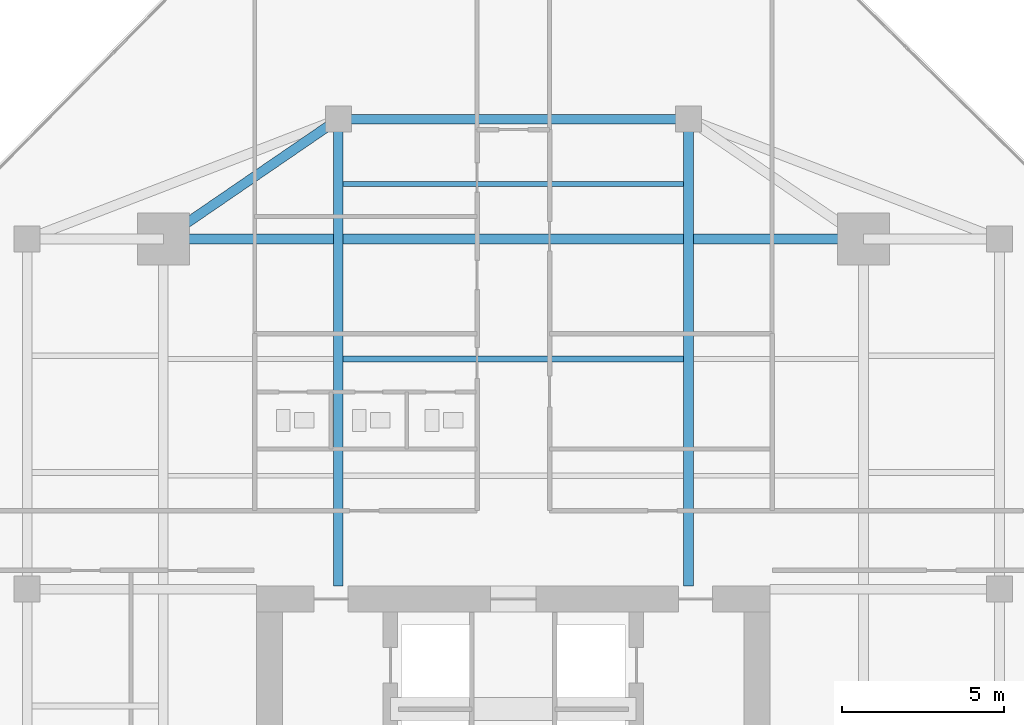
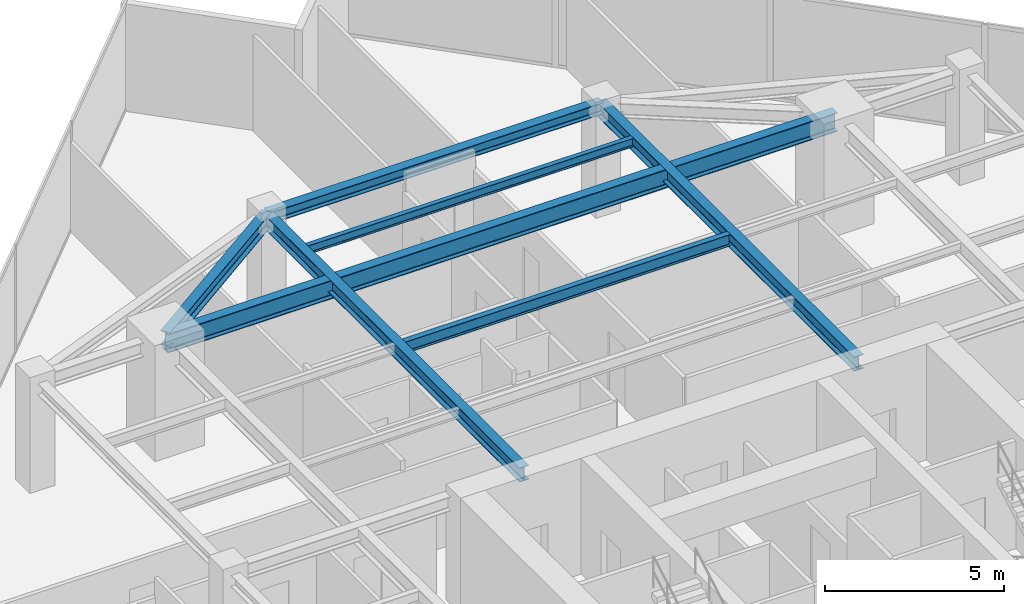
# One storey, part 15 of 24: 7 beams.
"""IFC4 building model written with IfcOpenShell, lengths in metres."""

from ifc_helpers import new_model, si_unit, direction, frame, origin, origin_2d, place, context, subcontext, project, spatial, i_section, extrude, source, transform, mapped, material, material_profile, profile_set, type_object, type_shapes, element, save


model = new_model("IFC4")

# Units and contexts
model_context = context("Model", 3, precision=1e-05, world=origin(), true_north=direction((0.0, 1.0)))
body_context = subcontext(model_context, "Body", "Model", "MODEL_VIEW")
ifc_project = project(units=[si_unit("LENGTHUNIT", "METRE"), si_unit("AREAUNIT", "SQUARE_METRE"), si_unit("VOLUMEUNIT", "CUBIC_METRE"), si_unit("PLANEANGLEUNIT", "RADIAN"), si_unit("MASSUNIT", "GRAM", prefix="KILO")], contexts=[model_context])

# Site, building, storey
site_placement = place(None, origin())
site = spatial("IfcSite", under=ifc_project, at=site_placement, CompositionType="ELEMENT")
building_placement = place(site_placement, origin())
building = spatial("IfcBuilding", under=site, at=building_placement, Name="Krantzveldt Concourse Tower", CompositionType="ELEMENT")
storey_placement = place(building_placement, frame((0.0, 0.0, 234.949951171875)))
storey = spatial("IfcBuildingStorey", under=building, at=storey_placement, Name="L57", CompositionType="ELEMENT", Elevation=234.949951171875)

# Beams
ifc_material = material(Name="Steel S355JR", Category="steel")
ifc_material_profile_1 = material_profile(ifc_material, i_section(OverallWidth=0.300048828125, OverallDepth=0.639892578125, WebThickness=0.013427734375, FlangeThickness=0.02587890625, FilletRadius=0.027099609375, at=origin_2d()), Name="Steel S355JR", Category="steel")
ifc_profile_set_1 = profile_set([ifc_material_profile_1], Name="Steel S355JR - HEA 650")
beam_type_1 = type_object("IfcBeamType", Name="BM-B-HEA650", PredefinedType="BEAM", material=ifc_profile_set_1)
shared_shape_1 = source(origin(), body_context, "Body", "SweptSolid", [
    extrude(i_section(OverallWidth=0.300048828125, OverallDepth=0.639892578125, WebThickness=0.013427734375, FlangeThickness=0.02587890625, FilletRadius=0.027099609375, at=origin_2d()), origin(), (0.0, 0.0, 1.0), 21.60009765625),
])
type_shapes(beam_type_1, [shared_shape_1])
beam_1_placement = place(storey_placement, frame((25.199951171875, 37.5, 3.35009765625), z_axis=(1.0, 0.0, 0.0), x_axis=(0.0, 1.0, 0.0)))
element("IfcBeam", 1, at=beam_1_placement, inside=storey, type_object=beam_type_1, Name="L57 Tower Girder BG-MN", PredefinedType="BEAM", context=body_context, shape_type="MappedRepresentation", body=[
    mapped(shared_shape_1, transform((0.0, 0.0, 0.0), x_axis=(1.0, 0.0, 0.0), y_axis=(0.0, 1.0, 0.0), z_axis=(0.0, 0.0, 1.0), scale=1.0)),
])
ifc_material_profile_2 = material_profile(ifc_material, i_section(OverallWidth=0.179931640625, OverallDepth=0.39990234375, WebThickness=0.008544921875, FlangeThickness=0.013427734375, FilletRadius=0.02099609375, at=origin_2d()), Name="Steel S355JR", Category="steel")
ifc_profile_set_2 = profile_set([ifc_material_profile_2], Name="Steel S355JR - IPE 400")
beam_type_2 = type_object("IfcBeamType", Name="BM-J-IPE400", PredefinedType="JOIST", material=ifc_profile_set_2)
shared_shape_2 = source(origin(), body_context, "Body", "SweptSolid", [
    extrude(i_section(OverallWidth=0.179931640625, OverallDepth=0.39990234375, WebThickness=0.008544921875, FlangeThickness=0.013427734375, FilletRadius=0.02099609375, at=origin_2d()), origin(), (0.0, 0.0, 1.0), 10.5),
])
type_shapes(beam_type_2, [shared_shape_2])
beam_2_placement = place(storey_placement, frame((30.75, 33.800048828125, 3.469970703125), z_axis=(1.0, 0.0, 0.0), x_axis=(0.0, 1.0, 0.0)))
element("IfcBeam", 2, at=beam_2_placement, inside=storey, type_object=beam_type_2, Name="L57 Secondary Floor Joist JN-C2", PredefinedType="JOIST", context=body_context, shape_type="MappedRepresentation", body=[
    mapped(shared_shape_2, transform((0.0, 0.0, 0.0), x_axis=(1.0, 0.0, 0.0), y_axis=(0.0, 1.0, 0.0), z_axis=(0.0, 0.0, 1.0), scale=1.0)),
])
ifc_material_profile_3 = material_profile(ifc_material, i_section(OverallWidth=0.300048828125, OverallDepth=0.389892578125, WebThickness=0.010986328125, FlangeThickness=0.01904296875, FilletRadius=0.027099609375, at=origin_2d()), Name="Steel S355JR", Category="steel")
ifc_profile_set_3 = profile_set([ifc_material_profile_3], Name="Steel S355JR - HEA 400")
beam_type_3 = type_object("IfcBeamType", Name="BM-SP-HEA400", PredefinedType="SPANDREL", material=ifc_profile_set_3)
shared_shape_3 = source(origin(), body_context, "Body", "SweptSolid", [
    extrude(i_section(OverallWidth=0.300048828125, OverallDepth=0.389892578125, WebThickness=0.010986328125, FlangeThickness=0.01904296875, FilletRadius=0.027099609375, at=origin_2d()), origin(), (0.0, 0.0, 1.0), 10.7998046875),
])
type_shapes(beam_type_3, [shared_shape_3])
beam_3_placement = place(storey_placement, frame((30.60009765625, 41.199951171875, 3.47509765625), z_axis=(1.0, 0.0, 0.0), x_axis=(0.0, 1.0, 0.0)))
element("IfcBeam", 3, at=beam_3_placement, inside=storey, type_object=beam_type_3, Name="L57 Tower Girder SP-R04", PredefinedType="SPANDREL", context=body_context, shape_type="MappedRepresentation", body=[
    mapped(shared_shape_3, transform((0.0, 0.0, 0.0), x_axis=(1.0, 0.0, 0.0), y_axis=(0.0, 1.0, 0.0), z_axis=(0.0, 0.0, 1.0), scale=1.0)),
])
ifc_material_profile_4 = material_profile(ifc_material, i_section(OverallWidth=0.300048828125, OverallDepth=0.489990234375, WebThickness=0.011962890625, FlangeThickness=0.02294921875, FilletRadius=0.027099609375, at=origin_2d()), Name="Steel S355JR", Category="steel")
ifc_profile_set_4 = profile_set([ifc_material_profile_4], Name="Steel S355JR - HEA 500")
beam_type_4 = type_object("IfcBeamType", Name="BM-B-HEA500", PredefinedType="BEAM", material=ifc_profile_set_4)
shared_shape_4 = source(origin(), body_context, "Body", "SweptSolid", [
    extrude(i_section(OverallWidth=0.300048828125, OverallDepth=0.489990234375, WebThickness=0.011962890625, FlangeThickness=0.02294921875, FilletRadius=0.027099609375, at=origin_2d()), origin(), (0.0, 0.0, 1.0), 14.39990234375),
])
for number, where, z_axis, x_axis, name in (
    (4, (30.60009765625, 26.800048828125, 3.425048828125), (0.0, 1.0, 0.0), (-1.0, 0.0, 0.0), "L57 Tower Girder BG-CNW"),
    (5, (41.39990234375, 26.800048828125, 3.425048828125), (0.0, 1.0, 0.0), (-1.0, 0.0, 0.0), "L57 Tower Girder BG-CNE"),
):
    element("IfcBeam", number, at=place(storey_placement, frame(where, z_axis=z_axis, x_axis=x_axis)), inside=storey, type_object=beam_type_4, Name=name, PredefinedType="BEAM", context=body_context, shape_type="MappedRepresentation", body=[
        mapped(shared_shape_4, transform((0.0, 0.0, 0.0), x_axis=(1.0, 0.0, 0.0), y_axis=(0.0, 1.0, 0.0), z_axis=(0.0, 0.0, 1.0), scale=1.0)),
    ])
shared_shape_5 = source(origin(), body_context, "Body", "SweptSolid", [
    extrude(i_section(OverallWidth=0.300048828125, OverallDepth=0.489990234375, WebThickness=0.011962890625, FlangeThickness=0.02294921875, FilletRadius=0.027099609375, at=origin_2d()), origin(), (0.0, 0.0, 1.0), 6.546142578125),
])
type_shapes(beam_type_4, [shared_shape_4, shared_shape_5])
beam_4_placement = place(storey_placement, frame((25.199951171875, 37.5, 3.425048828125), z_axis=(0.824942999484, 0.565215930068, 0.0), x_axis=(-0.565215930068, 0.824942999484, 0.0)))
element("IfcBeam", 6, at=beam_4_placement, inside=storey, type_object=beam_type_4, Name="L57 Tower Girder BR-RL4", PredefinedType="BEAM", context=body_context, shape_type="MappedRepresentation", body=[
    mapped(shared_shape_5, transform((0.0, 0.0, 0.0), x_axis=(1.0, 0.0, 0.0), y_axis=(0.0, 1.0, 0.0), z_axis=(0.0, 0.0, 1.0), scale=1.0)),
])
ifc_material_profile_5 = material_profile(ifc_material, i_section(OverallWidth=0.14990234375, OverallDepth=0.300048828125, WebThickness=0.007080078125, FlangeThickness=0.0107421875, FilletRadius=0.014892578125, at=origin_2d()), Name="Steel S355JR", Category="steel")
ifc_profile_set_5 = profile_set([ifc_material_profile_5], Name="Steel S355JR - IPE 300")
beam_type_5 = type_object("IfcBeamType", Name="BM-J-IPE300", PredefinedType="JOIST", material=ifc_profile_set_5)
shared_shape_6 = source(origin(), body_context, "Body", "SweptSolid", [
    extrude(i_section(OverallWidth=0.14990234375, OverallDepth=0.300048828125, WebThickness=0.007080078125, FlangeThickness=0.0107421875, FilletRadius=0.014892578125, at=origin_2d()), origin(), (0.0, 0.0, 1.0), 10.5),
])
type_shapes(beam_type_5, [shared_shape_6])
beam_5_placement = place(storey_placement, frame((30.75, 39.199951171875, 3.52001953125), z_axis=(1.0, 0.0, 0.0), x_axis=(0.0, 1.0, 0.0)))
element("IfcBeam", 7, at=beam_5_placement, inside=storey, type_object=beam_type_5, Name="L57 Secondary Floor Joist JN-C3", PredefinedType="JOIST", context=body_context, shape_type="MappedRepresentation", body=[
    mapped(shared_shape_6, transform((0.0, 0.0, 0.0), x_axis=(1.0, 0.0, 0.0), y_axis=(0.0, 1.0, 0.0), z_axis=(0.0, 0.0, 1.0), scale=1.0)),
])

save(model, "model.ifc")
